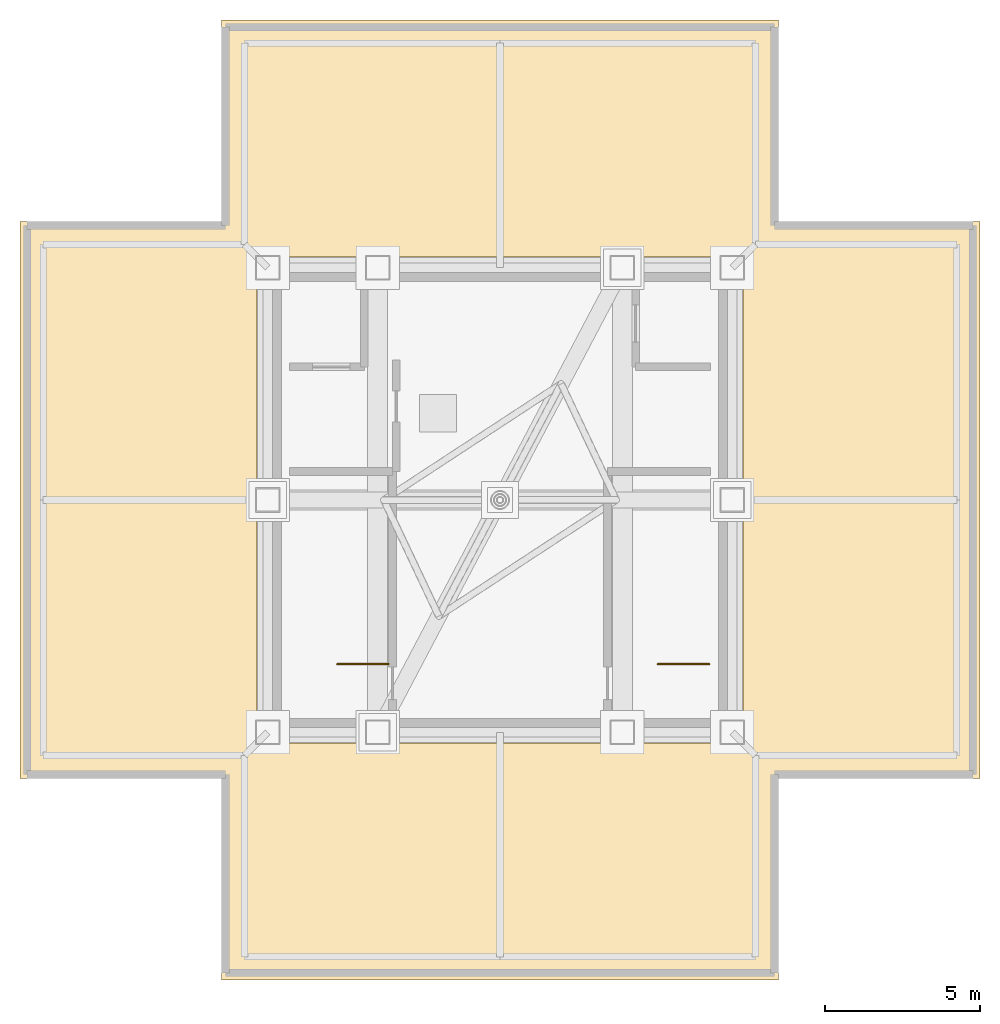
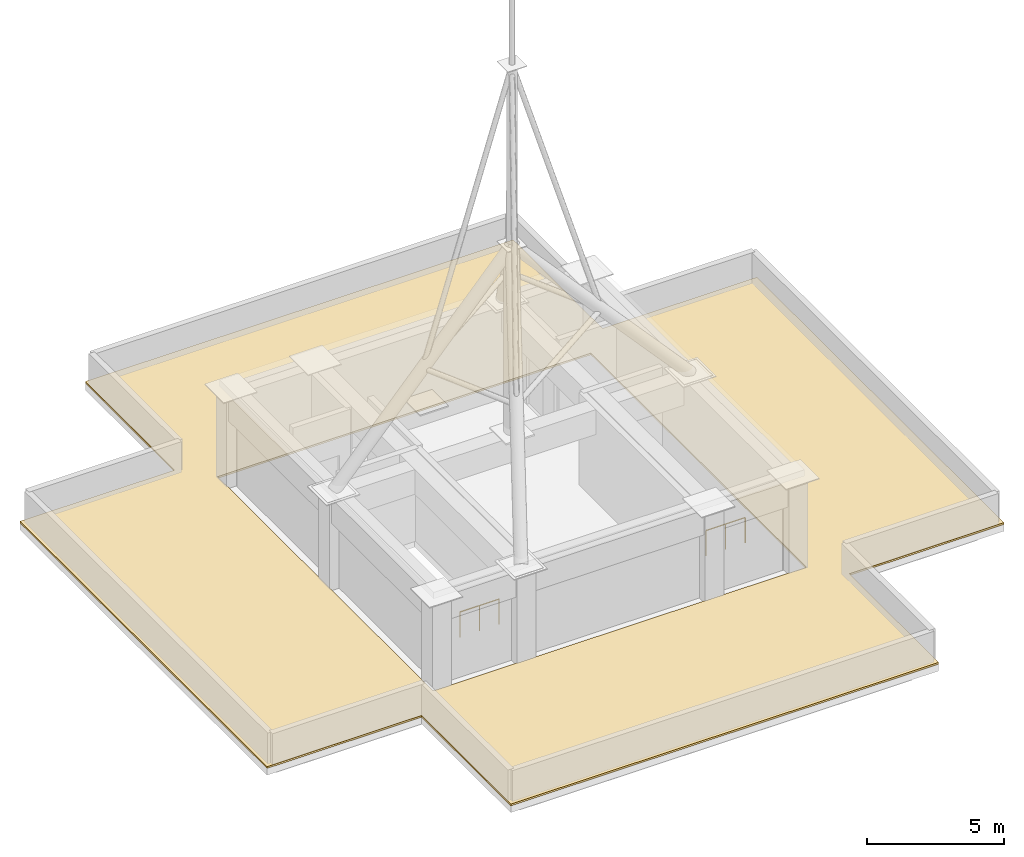
# One storey, part 5 of 5: 2 railings, 1 covering.
"""IFC4 building model written with IfcOpenShell, lengths in metres."""

from ifc_helpers import new_model, si_unit, direction, frame, origin, origin_2d, place, context, subcontext, project, spatial, polyline, circle, outline, extrude, material, layer, layer_set, type_object, element, save


model = new_model("IFC4")

# Units and contexts
model_context = context("Model", 3, precision=1e-05, world=origin(), true_north=direction((0.0, 1.0)))
body_context = subcontext(model_context, "Body", "Model", "MODEL_VIEW")
ifc_project = project(units=[si_unit("LENGTHUNIT", "METRE"), si_unit("AREAUNIT", "SQUARE_METRE"), si_unit("VOLUMEUNIT", "CUBIC_METRE"), si_unit("PLANEANGLEUNIT", "RADIAN"), si_unit("MASSUNIT", "GRAM", prefix="KILO")], contexts=[model_context])

# Site, building, storey
site_placement = place(None, origin())
site = spatial("IfcSite", under=ifc_project, at=site_placement, CompositionType="ELEMENT")
building_placement = place(site_placement, origin())
building = spatial("IfcBuilding", under=site, at=building_placement, Name="Trevonay Congress Spire", CompositionType="ELEMENT")
storey_placement = place(building_placement, frame((0.0, 0.0, 323.60009765625)))
storey = spatial("IfcBuildingStorey", under=building, at=storey_placement, Name="RF", CompositionType="ELEMENT", Elevation=323.60009765625)

# Covering
ifc_material_1 = material(Name="Concrete C40/50", Category="concrete")
ifc_layer = layer(ifc_material_1, 0.080078125, Name="Concrete C40/50")
ifc_layer_set = layer_set([ifc_layer], Name="Concrete C40/50")
covering_type = type_object("IfcCoveringType", Name="COV-ROOF-MEMBRANE-80", PredefinedType="ROOFING", material=ifc_layer_set)
covering_placement = place(storey_placement, origin())
element("IfcCovering", 1, at=covering_placement, inside=storey, type_object=covering_type, Name="RF crown roof waterproof membrane covering", PredefinedType="ROOFING", context=body_context, shape_type="SweptSolid", body=[
    extrude(outline(polyline([(-9.0, -15.5), (9.0, -15.5), (9.0, -9.0), (15.5, -9.0), (15.5, 9.0), (9.0, 9.0), (9.0, 15.5), (-9.0, 15.5), (-9.0, 9.0), (-15.5, 9.0), (-15.5, -9.0), (-9.0, -9.0), (-9.0, -15.5)]), holes=[polyline([(-7.85009765625, -7.85009765625), (7.85009765625, -7.85009765625), (7.85009765625, 7.85009765625), (-7.85009765625, 7.85009765625), (-7.85009765625, -7.85009765625)])]), origin(), (0.0, 0.0, 1.0), 0.079833984375),
])

# Railings
ifc_material_2 = material(Name="Pale Anodised Aluminium EN AW-6063-T6", Category="aluminium")
railing_type = type_object("IfcRailingType", Name="RAL-STAIR-GUARD-110", PredefinedType="GUARDRAIL", material=ifc_material_2)
for number, where, name in (
    (2, (-3.60009765625, -5.300048828125, 0.0), "RF ST-1 top well guard 1"),
    (3, (6.75, -5.300048828125, 0.0), "RF ST-2 top well guard 1"),
):
    element("IfcRailing", number, at=place(storey_placement, frame(where)), inside=storey, type_object=railing_type, Name=name, PredefinedType="GUARDRAIL", context=body_context, shape_type="SweptSolid", body=[
        extrude(circle(Radius=0.02392578125, at=origin_2d()), frame((0.0, 0.0, 1.1259765625), z_axis=(-1.0, 0.0, 0.0), x_axis=(0.0, -1.0, 0.0)), (0.0, 0.0, 1.0), 1.64990234375),
        extrude(circle(Radius=0.02099609375, at=origin_2d()), origin(), (0.0, 0.0, 1.0), 1.101806640625),
        extrude(circle(Radius=0.02099609375, at=origin_2d()), frame((-0.824951171875, 0.0, 0.0)), (0.0, 0.0, 1.0), 1.101806640625),
        extrude(circle(Radius=0.02099609375, at=origin_2d()), frame((-1.64990234375, 0.0, 0.0)), (0.0, 0.0, 1.0), 1.101806640625),
    ])

save(model, "model.ifc")
